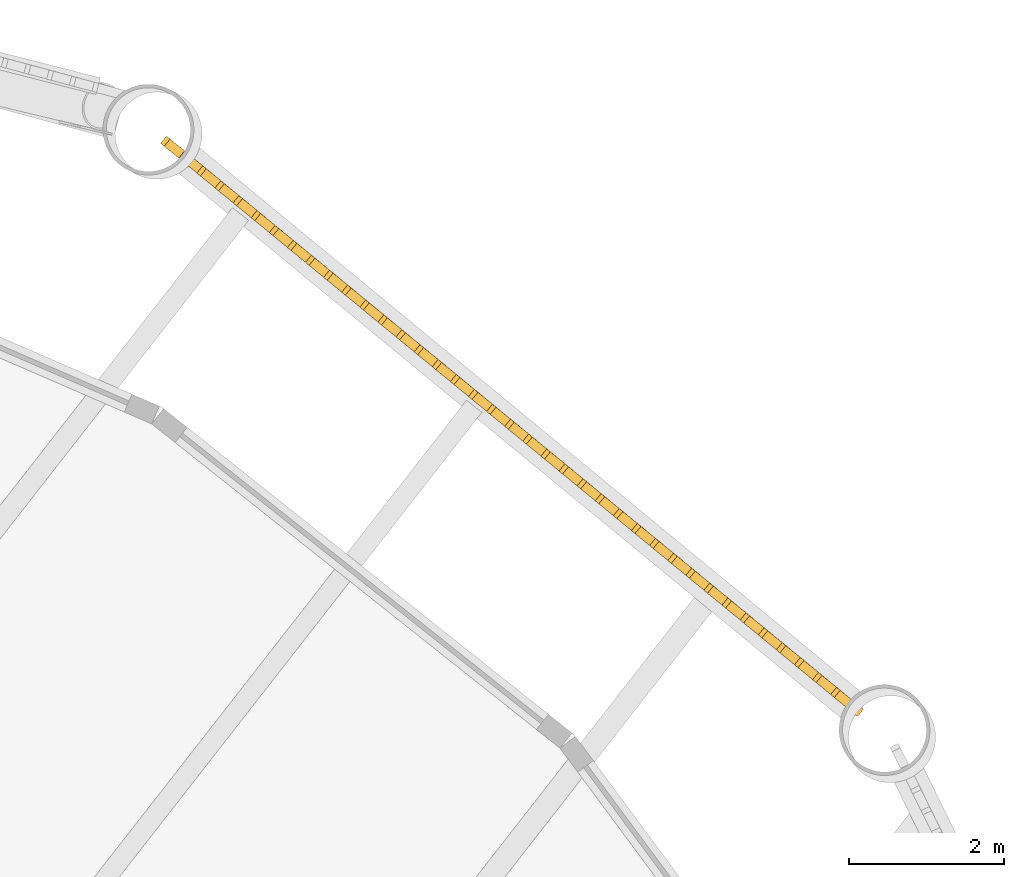
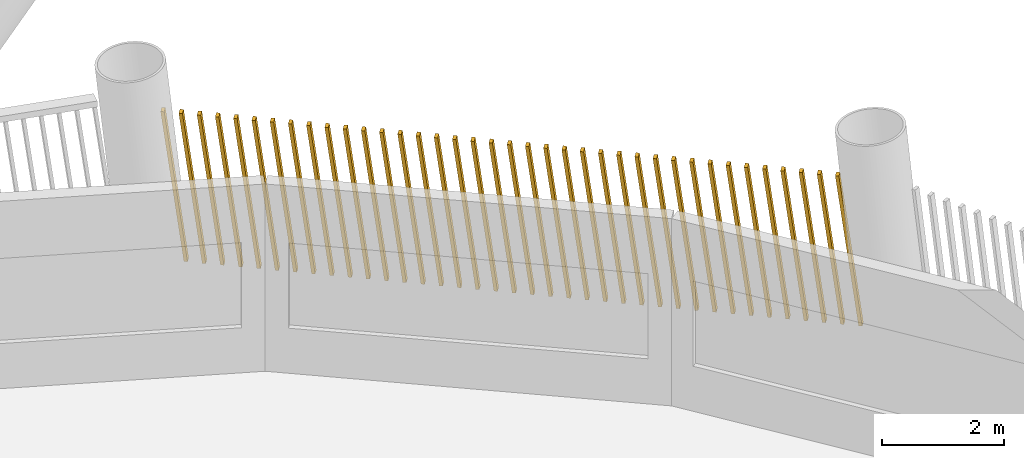
# One storey, part 21 of 22: 1 shading device.
"""IFC4 building model written with IfcOpenShell, lengths in metres."""

from ifc_helpers import new_model, si_unit, direction, frame, frame_2d, origin, place, context, subcontext, project, spatial, rectangle, composite_profile, extrude, material, type_object, element, save


model = new_model("IFC4")

# Units and contexts
model_context = context("Model", 3, precision=1e-05, world=origin(), true_north=direction((0.0, 1.0)))
body_context = subcontext(model_context, "Body", "Model", "MODEL_VIEW")
ifc_project = project(units=[si_unit("LENGTHUNIT", "METRE"), si_unit("AREAUNIT", "SQUARE_METRE"), si_unit("VOLUMEUNIT", "CUBIC_METRE"), si_unit("PLANEANGLEUNIT", "RADIAN"), si_unit("MASSUNIT", "GRAM", prefix="KILO")], contexts=[model_context])

# Site, building, storey
site_placement = place(None, origin())
site = spatial("IfcSite", under=ifc_project, at=site_placement, CompositionType="ELEMENT")
building_placement = place(site_placement, origin())
building = spatial("IfcBuilding", under=site, at=building_placement, Name="Tarsis Ring Headquarters", CompositionType="ELEMENT")
storey_placement = place(building_placement, frame((0.0, 0.0, 116.199951171875)))
storey = spatial("IfcBuildingStorey", under=building, at=storey_placement, Name="L26", CompositionType="ELEMENT", Elevation=116.199951171875)

# Shading device
ifc_material = material(Name="Terracotta baguette", Category="masonry")
shading_device_type = type_object("IfcShadingDeviceType", Name="Terracotta baguette screen", PredefinedType="USERDEFINED", material=ifc_material)
shading_device_placement = place(storey_placement, frame((22.384521484375, 18.354248046875, 0.0), z_axis=(0.0, 0.0, 1.0), x_axis=(-0.772219207813, 0.635355398806, 0.0)))
element("IfcShadingDevice", 1, at=shading_device_placement, inside=storey, type_object=shading_device_type, Name="Baguette screen L26-12", ObjectType="Terracotta baguette screen", PredefinedType="USERDEFINED", context=body_context, shape_type="SweptSolid", body=[
    extrude(composite_profile([rectangle(XDim=0.06005859375, YDim=0.1201171875, at=frame_2d((0.030029296875, 0.0))), rectangle(XDim=0.06005859375, YDim=0.1201171875, at=frame_2d((0.33251953125, 0.0))), rectangle(XDim=0.06005859375, YDim=0.1201171875, at=frame_2d((0.634765625, 0.0))), rectangle(XDim=0.06005859375, YDim=0.1201171875, at=frame_2d((0.937255859375, 0.0))), rectangle(XDim=0.06005859375, YDim=0.1201171875, at=frame_2d((1.239501953125, 0.0))), rectangle(XDim=0.06005859375, YDim=0.1201171875, at=frame_2d((1.5419921875, 0.0))), rectangle(XDim=0.06005859375, YDim=0.1201171875, at=frame_2d((1.844482421875, 0.0))), rectangle(XDim=0.06005859375, YDim=0.1201171875, at=frame_2d((2.146728515625, 0.0))), rectangle(XDim=0.06005859375, YDim=0.1201171875, at=frame_2d((2.44921875, 0.0))), rectangle(XDim=0.06005859375, YDim=0.1201171875, at=frame_2d((2.751708984375, 0.0))), rectangle(XDim=0.06005859375, YDim=0.1201171875, at=frame_2d((3.053955078125, 0.0))), rectangle(XDim=0.06005859375, YDim=0.1201171875, at=frame_2d((3.3564453125, 0.0))), rectangle(XDim=0.06005859375, YDim=0.1201171875, at=frame_2d((3.65869140625, 0.0))), rectangle(XDim=0.06005859375, YDim=0.1201171875, at=frame_2d((3.961181640625, 0.0))), rectangle(XDim=0.06005859375, YDim=0.1201171875, at=frame_2d((4.263671875, 0.0))), rectangle(XDim=0.06005859375, YDim=0.1201171875, at=frame_2d((4.56591796875, 0.0))), rectangle(XDim=0.06005859375, YDim=0.1201171875, at=frame_2d((4.868408203125, 0.0))), rectangle(XDim=0.06005859375, YDim=0.1201171875, at=frame_2d((5.1708984375, 0.0))), rectangle(XDim=0.06005859375, YDim=0.1201171875, at=frame_2d((5.47314453125, 0.0))), rectangle(XDim=0.06005859375, YDim=0.1201171875, at=frame_2d((5.775634765625, 0.0))), rectangle(XDim=0.06005859375, YDim=0.1201171875, at=frame_2d((6.077880859375, 0.0))), rectangle(XDim=0.06005859375, YDim=0.1201171875, at=frame_2d((6.38037109375, 0.0))), rectangle(XDim=0.06005859375, YDim=0.1201171875, at=frame_2d((6.682861328125, 0.0))), rectangle(XDim=0.06005859375, YDim=0.1201171875, at=frame_2d((6.985107421875, 0.0))), rectangle(XDim=0.06005859375, YDim=0.1201171875, at=frame_2d((7.28759765625, 0.0))), rectangle(XDim=0.06005859375, YDim=0.1201171875, at=frame_2d((7.590087890625, 0.0))), rectangle(XDim=0.06005859375, YDim=0.1201171875, at=frame_2d((7.892333984375, 0.0))), rectangle(XDim=0.06005859375, YDim=0.1201171875, at=frame_2d((8.19482421875, 0.0))), rectangle(XDim=0.06005859375, YDim=0.1201171875, at=frame_2d((8.4970703125, 0.0))), rectangle(XDim=0.06005859375, YDim=0.1201171875, at=frame_2d((8.799560546875, 0.0))), rectangle(XDim=0.06005859375, YDim=0.1201171875, at=frame_2d((9.10205078125, 0.0))), rectangle(XDim=0.06005859375, YDim=0.1201171875, at=frame_2d((9.404296875, 0.0))), rectangle(XDim=0.06005859375, YDim=0.1201171875, at=frame_2d((9.706787109375, 0.0))), rectangle(XDim=0.06005859375, YDim=0.1201171875, at=frame_2d((10.00927734375, 0.0))), rectangle(XDim=0.06005859375, YDim=0.1201171875, at=frame_2d((10.3115234375, 0.0))), rectangle(XDim=0.06005859375, YDim=0.1201171875, at=frame_2d((10.614013671875, 0.0))), rectangle(XDim=0.06005859375, YDim=0.1201171875, at=frame_2d((10.916259765625, 0.0))), rectangle(XDim=0.06005859375, YDim=0.1201171875, at=frame_2d((11.21875, 0.0)))]), origin(), (0.129810018486, 0.000883897121, 0.99153849034), 2.977783203125),
])

save(model, "model.ifc")
